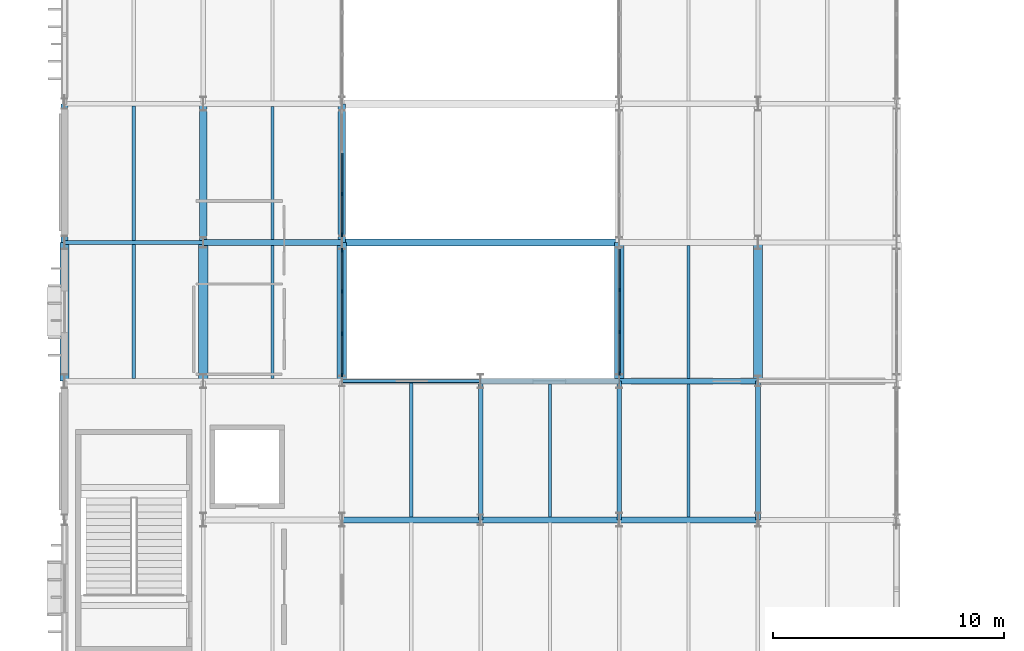
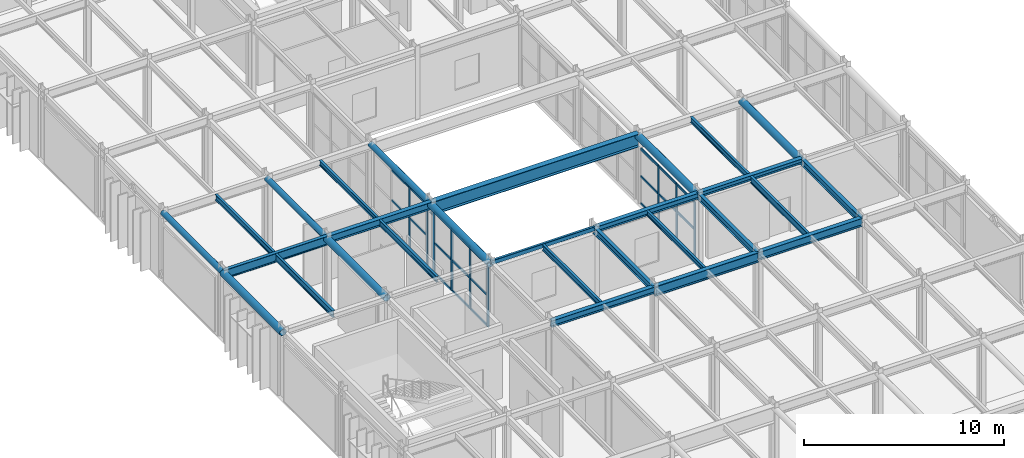
# One storey, part 29 of 96: 33 members, 28 beams, 3 elements without a shape of their own.
"""IFC4 building model written with IfcOpenShell, lengths in metres."""

from ifc_helpers import new_model, si_unit, direction, frame, origin, origin_2d, place, context, subcontext, project, spatial, rectangle, hollow_rectangle, hollow_circle, i_section, extrude, material, material_profile, profile_set, type_object, element, aggregate, save


model = new_model("IFC4")

# Units and contexts
model_context = context("Model", 3, precision=1e-05, world=origin(), true_north=direction((0.0, 1.0)))
body_context = subcontext(model_context, "Body", "Model", "MODEL_VIEW")
ifc_project = project(units=[si_unit("LENGTHUNIT", "METRE"), si_unit("AREAUNIT", "SQUARE_METRE"), si_unit("VOLUMEUNIT", "CUBIC_METRE"), si_unit("PLANEANGLEUNIT", "RADIAN"), si_unit("MASSUNIT", "GRAM", prefix="KILO")], contexts=[model_context])

# Site, building, storey
site_placement = place(None, origin())
site = spatial("IfcSite", under=ifc_project, at=site_placement, CompositionType="ELEMENT")
building_placement = place(site_placement, origin())
building = spatial("IfcBuilding", under=site, at=building_placement, Name="Varnakota Square Police Headquarters", CompositionType="ELEMENT")
storey_placement = place(building_placement, frame((0.0, 0.0, 4.800048828125)))
storey = spatial("IfcBuildingStorey", under=building, at=storey_placement, Name="L01", CompositionType="ELEMENT", Elevation=4.800048828125)

# Beams
ifc_material_1 = material(Name="Steel IS 2062 Grade 350", Category="steel")
ifc_material_profile_1 = material_profile(ifc_material_1, hollow_circle(Radius=0.161865234375, WallThickness=0.0126953125, at=origin_2d()), Name="CHS 323.9x12.7")
ifc_profile_set_1 = profile_set([ifc_material_profile_1], Name="Steel IS 2062 Grade 350")
beam_type_1 = type_object("IfcBeamType", Name="BM-ARC-CHS324", PredefinedType="BEAM", material=ifc_profile_set_1)
for number, where, z_axis, x_axis, name in (
    (1, (6.0, 45.0, 4.0380859375), (0.0, 1.0, 0.0), (-1.0, 0.0, 0.0), "BMG-L01-1541"),
    (2, (12.0, 45.0, 4.0380859375), (0.0, 1.0, 0.0), (-1.0, 0.0, 0.0), "BMG-L01-1558"),
    (3, (18.0, 45.0, 4.0380859375), (0.0, 1.0, 0.0), (-1.0, 0.0, 0.0), "BMG-L01-1572"),
):
    element("IfcBeam", number, at=place(storey_placement, frame(where, z_axis=z_axis, x_axis=x_axis)), inside=storey, type_object=beam_type_1, Name=name, PredefinedType="BEAM", context=body_context, shape_type="SweptSolid", body=[
        extrude(hollow_circle(Radius=0.161865234375, WallThickness=0.0126953125, at=origin_2d()), origin(), (0.0, 0.0, 1.0), 6.0),
    ])
ifc_material_profile_2 = material_profile(ifc_material_1, hollow_circle(Radius=0.203125, WallThickness=0.01611328125, at=origin_2d()), Name="CHS 406.4x16.0")
ifc_profile_set_2 = profile_set([ifc_material_profile_2], Name="Steel IS 2062 Grade 350")
beam_type_2 = type_object("IfcBeamType", Name="BM-ARC-CHS406", PredefinedType="BEAM", material=ifc_profile_set_2)
for number, where, z_axis, x_axis, name in (
    (4, (6.0, 39.0, 3.996826171875), (0.0, 1.0, 0.0), (-1.0, 0.0, 0.0), "BMG-L01-1540"),
    (5, (12.0, 39.0, 3.996826171875), (0.0, 1.0, 0.0), (-1.0, 0.0, 0.0), "BMG-L01-1557"),
    (6, (18.0, 39.0, 3.996826171875), (0.0, 1.0, 0.0), (-1.0, 0.0, 0.0), "BMG-L01-1571"),
    (7, (30.0, 39.0, 3.996826171875), (0.0, 1.0, 0.0), (-1.0, 0.0, 0.0), "BMG-L01-1593"),
    (8, (36.0, 39.0, 3.996826171875), (0.0, 1.0, 0.0), (-1.0, 0.0, 0.0), "BMG-L01-1607"),
):
    element("IfcBeam", number, at=place(storey_placement, frame(where, z_axis=z_axis, x_axis=x_axis)), inside=storey, type_object=beam_type_2, Name=name, PredefinedType="BEAM", context=body_context, shape_type="SweptSolid", body=[
        extrude(hollow_circle(Radius=0.203125, WallThickness=0.01611328125, at=origin_2d()), origin(), (0.0, 0.0, 1.0), 6.0),
    ])
ifc_material_profile_3 = material_profile(ifc_material_1, i_section(OverallWidth=0.320068359375, OverallDepth=0.800048828125, WebThickness=0.01611328125, FlangeThickness=0.028076171875, at=origin_2d()), Name="BPG 800x320")
ifc_profile_set_3 = profile_set([ifc_material_profile_3], Name="Steel IS 2062 Grade 350")
beam_type_3 = type_object("IfcBeamType", Name="BM-BPG800", PredefinedType="BEAM", material=ifc_profile_set_3)
beam_1_placement = place(storey_placement, frame((18.0, 45.0, 3.800048828125), z_axis=(1.0, 0.0, 0.0), x_axis=(0.0, 1.0, 0.0)))
element("IfcBeam", 9, at=beam_1_placement, inside=storey, type_object=beam_type_3, Name="BMG-L01-1395", PredefinedType="BEAM", context=body_context, shape_type="SweptSolid", body=[
    extrude(i_section(OverallWidth=0.320068359375, OverallDepth=0.800048828125, WebThickness=0.01611328125, FlangeThickness=0.028076171875, at=origin_2d()), origin(), (0.0, 0.0, 1.0), 12.0),
])
ifc_material_profile_4 = material_profile(ifc_material_1, hollow_rectangle(XDim=0.14990234375, YDim=0.25, WallThickness=0.010009765625, InnerFilletRadius=0.010009765625, OuterFilletRadius=0.02001953125, at=origin_2d()), Name="RHS 250x150x10")
ifc_profile_set_4 = profile_set([ifc_material_profile_4], Name="Steel IS 2062 Grade 350")
beam_type_4 = type_object("IfcBeamType", Name="BM-CBEAM-RHS250", PredefinedType="BEAM", material=ifc_profile_set_4)
beam_2_placement = place(storey_placement, frame((18.0, 39.0, 4.074951171875), z_axis=(1.0, 0.0, 0.0), x_axis=(0.0, 1.0, 0.0)))
element("IfcBeam", 10, at=beam_2_placement, inside=storey, type_object=beam_type_4, Name="BMG-L01-1385", PredefinedType="BEAM", context=body_context, shape_type="SweptSolid", body=[
    extrude(hollow_rectangle(XDim=0.14990234375, YDim=0.25, WallThickness=0.010009765625, InnerFilletRadius=0.010009765625, OuterFilletRadius=0.02001953125, at=origin_2d()), origin(), (0.0, 0.0, 1.0), 6.0),
])
ifc_material_profile_5 = material_profile(ifc_material_1, i_section(OverallWidth=0.25, OverallDepth=0.300048828125, WebThickness=0.009521484375, FlangeThickness=0.010498046875, FilletRadius=0.011962890625, at=origin_2d()), Name="ISHB 300")
ifc_profile_set_5 = profile_set([ifc_material_profile_5], Name="Steel IS 2062 Grade 350")
beam_type_5 = type_object("IfcBeamType", Name="BM-ISHB300", PredefinedType="BEAM", material=ifc_profile_set_5)
beam_3_placement = place(storey_placement, frame((30.0, 39.0, 4.050048828125), z_axis=(1.0, 0.0, 0.0), x_axis=(0.0, 1.0, 0.0)))
element("IfcBeam", 11, at=beam_3_placement, inside=storey, type_object=beam_type_5, Name="BMG-L01-1387", PredefinedType="BEAM", context=body_context, shape_type="SweptSolid", body=[
    extrude(i_section(OverallWidth=0.25, OverallDepth=0.300048828125, WebThickness=0.009521484375, FlangeThickness=0.010498046875, FilletRadius=0.011962890625, at=origin_2d()), origin(), (0.0, 0.0, 1.0), 6.0),
])
ifc_material_profile_6 = material_profile(ifc_material_1, i_section(OverallWidth=0.25, OverallDepth=0.35009765625, WebThickness=0.010009765625, FlangeThickness=0.01171875, FilletRadius=0.011962890625, at=origin_2d()), Name="ISHB 350")
ifc_profile_set_6 = profile_set([ifc_material_profile_6], Name="Steel IS 2062 Grade 350")
beam_type_6 = type_object("IfcBeamType", Name="BM-ISHB350", PredefinedType="BEAM", material=ifc_profile_set_6)
beam_4_placement = place(storey_placement, frame((24.0, 39.0, 4.02490234375), z_axis=(1.0, 0.0, 0.0), x_axis=(0.0, 1.0, 0.0)))
element("IfcBeam", 12, at=beam_4_placement, inside=storey, type_object=beam_type_6, Name="BMG-L01-1386", PredefinedType="BEAM", context=body_context, shape_type="SweptSolid", body=[
    extrude(i_section(OverallWidth=0.25, OverallDepth=0.35009765625, WebThickness=0.010009765625, FlangeThickness=0.01171875, FilletRadius=0.011962890625, at=origin_2d()), origin(), (0.0, 0.0, 1.0), 6.0),
])
ifc_material_profile_7 = material_profile(ifc_material_1, i_section(OverallWidth=0.25, OverallDepth=0.39990234375, WebThickness=0.010498046875, FlangeThickness=0.0126953125, FilletRadius=0.013916015625, at=origin_2d()), Name="ISHB 400")
ifc_profile_set_7 = profile_set([ifc_material_profile_7], Name="Steel IS 2062 Grade 350")
beam_type_7 = type_object("IfcBeamType", Name="BM-ISHB400", PredefinedType="BEAM", material=ifc_profile_set_7)
beam_5_placement = place(storey_placement, frame((18.0, 33.0, 4.0), z_axis=(1.0, 0.0, 0.0), x_axis=(0.0, 1.0, 0.0)))
element("IfcBeam", 13, at=beam_5_placement, inside=storey, type_object=beam_type_7, Name="BMG-L01-1376", PredefinedType="BEAM", context=body_context, shape_type="SweptSolid", body=[
    extrude(i_section(OverallWidth=0.25, OverallDepth=0.39990234375, WebThickness=0.010498046875, FlangeThickness=0.0126953125, FilletRadius=0.013916015625, at=origin_2d()), origin(), (0.0, 0.0, 1.0), 6.0),
])
ifc_material_profile_8 = material_profile(ifc_material_1, i_section(OverallWidth=0.25, OverallDepth=0.449951171875, WebThickness=0.01123046875, FlangeThickness=0.013671875, FilletRadius=0.014892578125, at=origin_2d()), Name="ISHB 450")
ifc_profile_set_8 = profile_set([ifc_material_profile_8], Name="Steel IS 2062 Grade 350")
beam_type_8 = type_object("IfcBeamType", Name="BM-ISHB450", PredefinedType="BEAM", material=ifc_profile_set_8)
beam_6_placement = place(storey_placement, frame((12.0, 45.0, 3.974853515625), z_axis=(1.0, 0.0, 0.0), x_axis=(0.0, 1.0, 0.0)))
element("IfcBeam", 14, at=beam_6_placement, inside=storey, type_object=beam_type_8, Name="BMG-L01-1394", PredefinedType="BEAM", context=body_context, shape_type="SweptSolid", body=[
    extrude(i_section(OverallWidth=0.25, OverallDepth=0.449951171875, WebThickness=0.01123046875, FlangeThickness=0.013671875, FilletRadius=0.014892578125, at=origin_2d()), origin(), (0.0, 0.0, 1.0), 6.0),
])
ifc_material_profile_9 = material_profile(ifc_material_1, i_section(OverallWidth=0.139892578125, OverallDepth=0.300048828125, WebThickness=0.0078125, FlangeThickness=0.01318359375, FilletRadius=0.013916015625, at=origin_2d()), Name="ISMB 300")
ifc_profile_set_9 = profile_set([ifc_material_profile_9], Name="Steel IS 2062 Grade 350")
beam_type_9 = type_object("IfcBeamType", Name="BM-ISMB300", PredefinedType="JOIST", material=ifc_profile_set_9)
for number, where, z_axis, x_axis, name in (
    (15, (15.0, 45.123046875, 4.050048828125), (0.0, 1.0, 0.0), (-1.0, 0.0, 0.0), "BMG-L01-1792"),
    (16, (27.0, 33.123046875, 4.050048828125), (0.0, 1.0, 0.0), (-1.0, 0.0, 0.0), "BMG-L01-1809"),
):
    element("IfcBeam", number, at=place(storey_placement, frame(where, z_axis=z_axis, x_axis=x_axis)), inside=storey, type_object=beam_type_9, Name=name, PredefinedType="JOIST", context=body_context, shape_type="SweptSolid", body=[
        extrude(i_section(OverallWidth=0.139892578125, OverallDepth=0.300048828125, WebThickness=0.0078125, FlangeThickness=0.01318359375, FilletRadius=0.013916015625, at=origin_2d()), origin(), (0.0, 0.0, 1.0), 5.75390625),
    ])
ifc_material_profile_10 = material_profile(ifc_material_1, i_section(OverallWidth=0.139892578125, OverallDepth=0.35009765625, WebThickness=0.008056640625, FlangeThickness=0.01416015625, FilletRadius=0.013916015625, at=origin_2d()), Name="ISMB 350")
ifc_profile_set_10 = profile_set([ifc_material_profile_10], Name="Steel IS 2062 Grade 350")
beam_type_10 = type_object("IfcBeamType", Name="BM-ISMB350", PredefinedType="JOIST", material=ifc_profile_set_10)
beam_7_placement = place(storey_placement, frame((9.0, 45.093017578125, 4.02490234375), z_axis=(0.0, 1.0, 0.0), x_axis=(-1.0, 0.0, 0.0)))
element("IfcBeam", 17, at=beam_7_placement, inside=storey, type_object=beam_type_10, Name="BMG-L01-1781", PredefinedType="JOIST", context=body_context, shape_type="SweptSolid", body=[
    extrude(i_section(OverallWidth=0.139892578125, OverallDepth=0.35009765625, WebThickness=0.008056640625, FlangeThickness=0.01416015625, FilletRadius=0.013916015625, at=origin_2d()), origin(), (0.0, 0.0, 1.0), 5.81396484375),
])
beam_8_placement = place(storey_placement, frame((15.0, 39.123046875, 4.02490234375), z_axis=(0.0, 1.0, 0.0), x_axis=(-1.0, 0.0, 0.0)))
element("IfcBeam", 18, at=beam_8_placement, inside=storey, type_object=beam_type_10, Name="BMG-L01-1791", PredefinedType="JOIST", context=body_context, shape_type="SweptSolid", body=[
    extrude(i_section(OverallWidth=0.139892578125, OverallDepth=0.35009765625, WebThickness=0.008056640625, FlangeThickness=0.01416015625, FilletRadius=0.013916015625, at=origin_2d()), origin(), (0.0, 0.0, 1.0), 5.75390625),
])
beam_9_placement = place(storey_placement, frame((21.0, 33.123046875, 4.02490234375), z_axis=(0.0, 1.0, 0.0), x_axis=(-1.0, 0.0, 0.0)))
element("IfcBeam", 19, at=beam_9_placement, inside=storey, type_object=beam_type_10, Name="BMG-L01-1802", PredefinedType="JOIST", context=body_context, shape_type="SweptSolid", body=[
    extrude(i_section(OverallWidth=0.139892578125, OverallDepth=0.35009765625, WebThickness=0.008056640625, FlangeThickness=0.01416015625, FilletRadius=0.013916015625, at=origin_2d()), origin(), (0.0, 0.0, 1.0), 5.803955078125),
])
beam_10_placement = place(storey_placement, frame((33.0, 39.123046875, 4.02490234375), z_axis=(0.0, 1.0, 0.0), x_axis=(-1.0, 0.0, 0.0)))
element("IfcBeam", 20, at=beam_10_placement, inside=storey, type_object=beam_type_10, Name="BMG-L01-1818", PredefinedType="JOIST", context=body_context, shape_type="SweptSolid", body=[
    extrude(i_section(OverallWidth=0.139892578125, OverallDepth=0.35009765625, WebThickness=0.008056640625, FlangeThickness=0.01416015625, FilletRadius=0.013916015625, at=origin_2d()), origin(), (0.0, 0.0, 1.0), 5.75390625),
])
ifc_material_profile_11 = material_profile(ifc_material_1, i_section(OverallWidth=0.139892578125, OverallDepth=0.39990234375, WebThickness=0.0087890625, FlangeThickness=0.01611328125, FilletRadius=0.013916015625, at=origin_2d()), Name="ISMB 400")
ifc_profile_set_11 = profile_set([ifc_material_profile_11], Name="Steel IS 2062 Grade 350")
beam_type_11 = type_object("IfcBeamType", Name="BM-ISMB400", PredefinedType="JOIST", material=ifc_profile_set_11)
beam_11_placement = place(storey_placement, frame((9.0, 39.123046875, 4.0), z_axis=(0.0, 1.0, 0.0), x_axis=(-1.0, 0.0, 0.0)))
element("IfcBeam", 21, at=beam_11_placement, inside=storey, type_object=beam_type_11, Name="BMG-L01-1780", PredefinedType="JOIST", context=body_context, shape_type="SweptSolid", body=[
    extrude(i_section(OverallWidth=0.139892578125, OverallDepth=0.39990234375, WebThickness=0.0087890625, FlangeThickness=0.01611328125, FilletRadius=0.013916015625, at=origin_2d()), origin(), (0.0, 0.0, 1.0), 5.783935546875),
])
beam_12_placement = place(storey_placement, frame((33.0, 33.123046875, 4.0), z_axis=(0.0, 1.0, 0.0), x_axis=(-1.0, 0.0, 0.0)))
element("IfcBeam", 22, at=beam_12_placement, inside=storey, type_object=beam_type_11, Name="BMG-L01-1817", PredefinedType="JOIST", context=body_context, shape_type="SweptSolid", body=[
    extrude(i_section(OverallWidth=0.139892578125, OverallDepth=0.39990234375, WebThickness=0.0087890625, FlangeThickness=0.01611328125, FilletRadius=0.013916015625, at=origin_2d()), origin(), (0.0, 0.0, 1.0), 5.75390625),
])
ifc_material_profile_12 = material_profile(ifc_material_1, i_section(OverallWidth=0.18994140625, OverallDepth=0.550048828125, WebThickness=0.01123046875, FlangeThickness=0.019287109375, FilletRadius=0.01806640625, at=origin_2d()), Name="ISMB 550")
ifc_profile_set_12 = profile_set([ifc_material_profile_12], Name="Steel IS 2062 Grade 350")
beam_type_12 = type_object("IfcBeamType", Name="BM-ISMB550", PredefinedType="BEAM", material=ifc_profile_set_12)
beam_13_placement = place(storey_placement, frame((6.0, 45.0, 3.925048828125), z_axis=(1.0, 0.0, 0.0), x_axis=(0.0, 1.0, 0.0)))
element("IfcBeam", 23, at=beam_13_placement, inside=storey, type_object=beam_type_12, Name="BMG-L01-1393", PredefinedType="BEAM", context=body_context, shape_type="SweptSolid", body=[
    extrude(i_section(OverallWidth=0.18994140625, OverallDepth=0.550048828125, WebThickness=0.01123046875, FlangeThickness=0.019287109375, FilletRadius=0.01806640625, at=origin_2d()), origin(), (0.0, 0.0, 1.0), 6.0),
])
ifc_material_profile_13 = material_profile(ifc_material_1, i_section(OverallWidth=0.199951171875, OverallDepth=0.39990234375, WebThickness=0.008544921875, FlangeThickness=0.012939453125, FilletRadius=0.012939453125, at=origin_2d()), Name="ISWB 400")
ifc_profile_set_13 = profile_set([ifc_material_profile_13], Name="Steel IS 2062 Grade 350")
beam_type_13 = type_object("IfcBeamType", Name="BM-ISWB400", PredefinedType="BEAM", material=ifc_profile_set_13)
for number, where, z_axis, x_axis, name in (
    (24, (24.0, 33.0, 4.0), (0.0, 1.0, 0.0), (-1.0, 0.0, 0.0), "BMG-L01-1584"),
    (25, (30.0, 33.0, 4.0), (0.0, 1.0, 0.0), (-1.0, 0.0, 0.0), "BMG-L01-1592"),
    (26, (36.0, 33.0, 4.0), (0.0, 1.0, 0.0), (-1.0, 0.0, 0.0), "BMG-L01-1606"),
):
    element("IfcBeam", number, at=place(storey_placement, frame(where, z_axis=z_axis, x_axis=x_axis)), inside=storey, type_object=beam_type_13, Name=name, PredefinedType="BEAM", context=body_context, shape_type="SweptSolid", body=[
        extrude(i_section(OverallWidth=0.199951171875, OverallDepth=0.39990234375, WebThickness=0.008544921875, FlangeThickness=0.012939453125, FilletRadius=0.012939453125, at=origin_2d()), origin(), (0.0, 0.0, 1.0), 6.0),
    ])
ifc_material_profile_14 = material_profile(ifc_material_1, i_section(OverallWidth=0.25, OverallDepth=0.5, WebThickness=0.010009765625, FlangeThickness=0.0146484375, FilletRadius=0.014892578125, at=origin_2d()), Name="ISWB 500")
ifc_profile_set_14 = profile_set([ifc_material_profile_14], Name="Steel IS 2062 Grade 350")
beam_type_14 = type_object("IfcBeamType", Name="BM-ISWB500", PredefinedType="BEAM", material=ifc_profile_set_14)
beam_14_placement = place(storey_placement, frame((30.0, 33.0, 3.949951171875), z_axis=(1.0, 0.0, 0.0), x_axis=(0.0, 1.0, 0.0)))
element("IfcBeam", 27, at=beam_14_placement, inside=storey, type_object=beam_type_14, Name="BMG-L01-1378", PredefinedType="BEAM", context=body_context, shape_type="SweptSolid", body=[
    extrude(i_section(OverallWidth=0.25, OverallDepth=0.5, WebThickness=0.010009765625, FlangeThickness=0.0146484375, FilletRadius=0.014892578125, at=origin_2d()), origin(), (0.0, 0.0, 1.0), 6.0),
])
ifc_material_profile_15 = material_profile(ifc_material_1, i_section(OverallWidth=0.25, OverallDepth=0.60009765625, WebThickness=0.01171875, FlangeThickness=0.023681640625, FilletRadius=0.01708984375, at=origin_2d()), Name="ISWB 600")
ifc_profile_set_15 = profile_set([ifc_material_profile_15], Name="Steel IS 2062 Grade 350")
beam_type_15 = type_object("IfcBeamType", Name="BM-ISWB600", PredefinedType="BEAM", material=ifc_profile_set_15)
beam_15_placement = place(storey_placement, frame((24.0, 33.0, 3.89990234375), z_axis=(1.0, 0.0, 0.0), x_axis=(0.0, 1.0, 0.0)))
element("IfcBeam", 28, at=beam_15_placement, inside=storey, type_object=beam_type_15, Name="BMG-L01-1377", PredefinedType="BEAM", context=body_context, shape_type="SweptSolid", body=[
    extrude(i_section(OverallWidth=0.25, OverallDepth=0.60009765625, WebThickness=0.01171875, FlangeThickness=0.023681640625, FilletRadius=0.01708984375, at=origin_2d()), origin(), (0.0, 0.0, 1.0), 6.0),
])

# Curtain wall, members
ifc_material_2 = material(Name="Anodised Aluminium Framing", Category="aluminium")
curtain_wall_type = type_object("IfcCurtainWallType", Name="CW-SYS-F", PredefinedType="NOTDEFINED", material=ifc_material_2)
curtain_wall_1_placement = place(storey_placement, origin())
curtain_wall_1 = element("IfcCurtainWall", 29, at=curtain_wall_1_placement, inside=storey, type_object=curtain_wall_type, Name="Unitised curtain wall CWG-L01-148", PredefinedType="NOTDEFINED")
ifc_material_3 = material(Name="Anodised Aluminium 6063-T6", Category="aluminium")
ifc_material_profile_16 = material_profile(ifc_material_3, rectangle(XDim=0.06494140625, YDim=0.159912109375, at=origin_2d()), Name="ALU MULLION 65x160")
ifc_profile_set_16 = profile_set([ifc_material_profile_16], Name="Anodised Aluminium 6063-T6")
member_type_1 = type_object("IfcMemberType", Name="CWM-150", PredefinedType="MULLION", material=ifc_profile_set_16)
member_1_placement = place(storey_placement, frame((18.0, 39.262451171875, 0.0), z_axis=(0.0, 0.0, 1.0), x_axis=(-1.0, 0.0, 0.0)))
member_1 = element("IfcMember", 30, at=member_1_placement, type_object=member_type_1, Name="CWG-L01-148 mullion 1", PredefinedType="MULLION", context=body_context, shape_type="SweptSolid", body=[
    extrude(rectangle(XDim=0.06494140625, YDim=0.159912109375, at=origin_2d()), origin(), (0.0, 0.0, 1.0), 3.783447265625),
])
member_2_placement = place(storey_placement, frame((18.0, 41.0517578125, 0.0), z_axis=(0.0, 0.0, 1.0), x_axis=(-1.0, 0.0, 0.0)))
member_2 = element("IfcMember", 31, at=member_2_placement, type_object=member_type_1, Name="CWG-L01-148 mullion 2", PredefinedType="MULLION", context=body_context, shape_type="SweptSolid", body=[
    extrude(rectangle(XDim=0.06494140625, YDim=0.159912109375, at=origin_2d()), origin(), (0.0, 0.0, 1.0), 3.783447265625),
])
member_3_placement = place(storey_placement, frame((18.0, 42.873291015625, 0.0), z_axis=(0.0, 0.0, 1.0), x_axis=(-1.0, 0.0, 0.0)))
member_3 = element("IfcMember", 32, at=member_3_placement, type_object=member_type_1, Name="CWG-L01-148 mullion 3", PredefinedType="MULLION", context=body_context, shape_type="SweptSolid", body=[
    extrude(rectangle(XDim=0.06494140625, YDim=0.159912109375, at=origin_2d()), origin(), (0.0, 0.0, 1.0), 3.783447265625),
])
member_4_placement = place(storey_placement, frame((18.0, 44.66259765625, 0.0), z_axis=(0.0, 0.0, 1.0), x_axis=(-1.0, 0.0, 0.0)))
member_4 = element("IfcMember", 33, at=member_4_placement, type_object=member_type_1, Name="CWG-L01-148 mullion 4", PredefinedType="MULLION", context=body_context, shape_type="SweptSolid", body=[
    extrude(rectangle(XDim=0.06494140625, YDim=0.159912109375, at=origin_2d()), origin(), (0.0, 0.0, 1.0), 3.783447265625),
])

curtain_wall_2_placement = place(storey_placement, origin())
curtain_wall_2 = element("IfcCurtainWall", 34, at=curtain_wall_2_placement, inside=storey, type_object=curtain_wall_type, Name="Unitised curtain wall CWG-L01-149", PredefinedType="NOTDEFINED")
member_5_placement = place(storey_placement, frame((30.0, 39.33740234375, 0.0), z_axis=(0.0, 0.0, 1.0), x_axis=(-1.0, 0.0, 0.0)))
member_5 = element("IfcMember", 35, at=member_5_placement, type_object=member_type_1, Name="CWG-L01-149 mullion 1", PredefinedType="MULLION", context=body_context, shape_type="SweptSolid", body=[
    extrude(rectangle(XDim=0.06494140625, YDim=0.159912109375, at=origin_2d()), origin(), (0.0, 0.0, 1.0), 3.389892578125),
])
member_6_placement = place(storey_placement, frame((30.0, 41.126708984375, 0.0), z_axis=(0.0, 0.0, 1.0), x_axis=(-1.0, 0.0, 0.0)))
member_6 = element("IfcMember", 36, at=member_6_placement, type_object=member_type_1, Name="CWG-L01-149 mullion 2", PredefinedType="MULLION", context=body_context, shape_type="SweptSolid", body=[
    extrude(rectangle(XDim=0.06494140625, YDim=0.159912109375, at=origin_2d()), origin(), (0.0, 0.0, 1.0), 3.389892578125),
])
member_7_placement = place(storey_placement, frame((30.0, 42.9482421875, 0.0), z_axis=(0.0, 0.0, 1.0), x_axis=(-1.0, 0.0, 0.0)))
member_7 = element("IfcMember", 37, at=member_7_placement, type_object=member_type_1, Name="CWG-L01-149 mullion 3", PredefinedType="MULLION", context=body_context, shape_type="SweptSolid", body=[
    extrude(rectangle(XDim=0.06494140625, YDim=0.159912109375, at=origin_2d()), origin(), (0.0, 0.0, 1.0), 3.389892578125),
])

curtain_wall_3_placement = place(storey_placement, origin())
curtain_wall_3 = element("IfcCurtainWall", 38, at=curtain_wall_3_placement, inside=storey, type_object=curtain_wall_type, Name="Unitised curtain wall CWG-L01-150", PredefinedType="NOTDEFINED")
member_8_placement = place(storey_placement, frame((18.0, 45.33740234375, 0.0), z_axis=(0.0, 0.0, 1.0), x_axis=(-1.0, 0.0, 0.0)))
member_8 = element("IfcMember", 39, at=member_8_placement, type_object=member_type_1, Name="CWG-L01-150 mullion 1", PredefinedType="MULLION", context=body_context, shape_type="SweptSolid", body=[
    extrude(rectangle(XDim=0.06494140625, YDim=0.159912109375, at=origin_2d()), origin(), (0.0, 0.0, 1.0), 3.783447265625),
])
member_9_placement = place(storey_placement, frame((18.0, 47.1015625, 0.0), z_axis=(0.0, 0.0, 1.0), x_axis=(-1.0, 0.0, 0.0)))
member_9 = element("IfcMember", 40, at=member_9_placement, type_object=member_type_1, Name="CWG-L01-150 mullion 2", PredefinedType="MULLION", context=body_context, shape_type="SweptSolid", body=[
    extrude(rectangle(XDim=0.06494140625, YDim=0.159912109375, at=origin_2d()), origin(), (0.0, 0.0, 1.0), 3.783447265625),
])

# Member
ifc_material_profile_17 = material_profile(ifc_material_3, rectangle(XDim=0.06494140625, YDim=0.1298828125, at=origin_2d()), Name="ALU TRANSOM 65x130")
ifc_profile_set_17 = profile_set([ifc_material_profile_17], Name="Anodised Aluminium 6063-T6")
member_type_2 = type_object("IfcMemberType", Name="CWT-120", PredefinedType="USERDEFINED", material=ifc_profile_set_17)
member_10_placement = place(storey_placement, frame((18.0, 39.294921875, 0.032470703125), z_axis=(0.0, 1.0, 0.0), x_axis=(-1.0, 0.0, 0.0)))
member_10 = element("IfcMember", 41, at=member_10_placement, type_object=member_type_2, Name="CWG-L01-148 transom 1.1", ObjectType="TRANSOM", PredefinedType="USERDEFINED", context=body_context, shape_type="SweptSolid", body=[
    extrude(rectangle(XDim=0.06494140625, YDim=0.1298828125, at=origin_2d()), origin(), (0.0, 0.0, 1.0), 1.724365234375),
])

member_11_placement = place(storey_placement, frame((18.0, 39.294921875, 1.891845703125), z_axis=(0.0, 1.0, 0.0), x_axis=(-1.0, 0.0, 0.0)))
member_11 = element("IfcMember", 42, at=member_11_placement, type_object=member_type_2, Name="CWG-L01-148 transom 1.2", ObjectType="TRANSOM", PredefinedType="USERDEFINED", context=body_context, shape_type="SweptSolid", body=[
    extrude(rectangle(XDim=0.06494140625, YDim=0.1298828125, at=origin_2d()), origin(), (0.0, 0.0, 1.0), 1.724365234375),
])

member_12_placement = place(storey_placement, frame((18.0, 39.294921875, 3.7509765625), z_axis=(0.0, 1.0, 0.0), x_axis=(-1.0, 0.0, 0.0)))
member_12 = element("IfcMember", 43, at=member_12_placement, type_object=member_type_2, Name="CWG-L01-148 transom 1.3", ObjectType="TRANSOM", PredefinedType="USERDEFINED", context=body_context, shape_type="SweptSolid", body=[
    extrude(rectangle(XDim=0.06494140625, YDim=0.1298828125, at=origin_2d()), origin(), (0.0, 0.0, 1.0), 1.724365234375),
])

member_13_placement = place(storey_placement, frame((18.0, 41.084228515625, 0.032470703125), z_axis=(0.0, 1.0, 0.0), x_axis=(-1.0, 0.0, 0.0)))
member_13 = element("IfcMember", 44, at=member_13_placement, type_object=member_type_2, Name="CWG-L01-148 transom 2.1", ObjectType="TRANSOM", PredefinedType="USERDEFINED", context=body_context, shape_type="SweptSolid", body=[
    extrude(rectangle(XDim=0.06494140625, YDim=0.1298828125, at=origin_2d()), origin(), (0.0, 0.0, 1.0), 1.756591796875),
])

member_14_placement = place(storey_placement, frame((18.0, 41.084228515625, 1.891845703125), z_axis=(0.0, 1.0, 0.0), x_axis=(-1.0, 0.0, 0.0)))
member_14 = element("IfcMember", 45, at=member_14_placement, type_object=member_type_2, Name="CWG-L01-148 transom 2.2", ObjectType="TRANSOM", PredefinedType="USERDEFINED", context=body_context, shape_type="SweptSolid", body=[
    extrude(rectangle(XDim=0.06494140625, YDim=0.1298828125, at=origin_2d()), origin(), (0.0, 0.0, 1.0), 1.756591796875),
])

member_15_placement = place(storey_placement, frame((18.0, 41.084228515625, 3.7509765625), z_axis=(0.0, 1.0, 0.0), x_axis=(-1.0, 0.0, 0.0)))
member_15 = element("IfcMember", 46, at=member_15_placement, type_object=member_type_2, Name="CWG-L01-148 transom 2.3", ObjectType="TRANSOM", PredefinedType="USERDEFINED", context=body_context, shape_type="SweptSolid", body=[
    extrude(rectangle(XDim=0.06494140625, YDim=0.1298828125, at=origin_2d()), origin(), (0.0, 0.0, 1.0), 1.756591796875),
])

member_16_placement = place(storey_placement, frame((18.0, 42.90576171875, 0.032470703125), z_axis=(0.0, 1.0, 0.0), x_axis=(-1.0, 0.0, 0.0)))
member_16 = element("IfcMember", 47, at=member_16_placement, type_object=member_type_2, Name="CWG-L01-148 transom 3.1", ObjectType="TRANSOM", PredefinedType="USERDEFINED", context=body_context, shape_type="SweptSolid", body=[
    extrude(rectangle(XDim=0.06494140625, YDim=0.1298828125, at=origin_2d()), origin(), (0.0, 0.0, 1.0), 1.72412109375),
])

member_17_placement = place(storey_placement, frame((18.0, 42.90576171875, 1.891845703125), z_axis=(0.0, 1.0, 0.0), x_axis=(-1.0, 0.0, 0.0)))
member_17 = element("IfcMember", 48, at=member_17_placement, type_object=member_type_2, Name="CWG-L01-148 transom 3.2", ObjectType="TRANSOM", PredefinedType="USERDEFINED", context=body_context, shape_type="SweptSolid", body=[
    extrude(rectangle(XDim=0.06494140625, YDim=0.1298828125, at=origin_2d()), origin(), (0.0, 0.0, 1.0), 1.72412109375),
])

member_18_placement = place(storey_placement, frame((18.0, 42.90576171875, 3.7509765625), z_axis=(0.0, 1.0, 0.0), x_axis=(-1.0, 0.0, 0.0)))
member_18 = element("IfcMember", 49, at=member_18_placement, type_object=member_type_2, Name="CWG-L01-148 transom 3.3", ObjectType="TRANSOM", PredefinedType="USERDEFINED", context=body_context, shape_type="SweptSolid", body=[
    extrude(rectangle(XDim=0.06494140625, YDim=0.1298828125, at=origin_2d()), origin(), (0.0, 0.0, 1.0), 1.72412109375),
])

aggregate(curtain_wall_1, [member_1, member_2, member_3, member_4, member_10, member_11, member_12, member_13, member_14, member_15, member_16, member_17, member_18])

member_19_placement = place(storey_placement, frame((30.0, 39.3701171875, 0.032470703125), z_axis=(0.0, 1.0, 0.0), x_axis=(-1.0, 0.0, 0.0)))
member_19 = element("IfcMember", 50, at=member_19_placement, type_object=member_type_2, Name="CWG-L01-149 transom 1.1", ObjectType="TRANSOM", PredefinedType="USERDEFINED", context=body_context, shape_type="SweptSolid", body=[
    extrude(rectangle(XDim=0.06494140625, YDim=0.1298828125, at=origin_2d()), origin(), (0.0, 0.0, 1.0), 1.72412109375),
])

member_20_placement = place(storey_placement, frame((30.0, 39.3701171875, 1.695068359375), z_axis=(0.0, 1.0, 0.0), x_axis=(-1.0, 0.0, 0.0)))
member_20 = element("IfcMember", 51, at=member_20_placement, type_object=member_type_2, Name="CWG-L01-149 transom 1.2", ObjectType="TRANSOM", PredefinedType="USERDEFINED", context=body_context, shape_type="SweptSolid", body=[
    extrude(rectangle(XDim=0.06494140625, YDim=0.1298828125, at=origin_2d()), origin(), (0.0, 0.0, 1.0), 1.72412109375),
])

member_21_placement = place(storey_placement, frame((30.0, 39.3701171875, 3.357421875), z_axis=(0.0, 1.0, 0.0), x_axis=(-1.0, 0.0, 0.0)))
member_21 = element("IfcMember", 52, at=member_21_placement, type_object=member_type_2, Name="CWG-L01-149 transom 1.3", ObjectType="TRANSOM", PredefinedType="USERDEFINED", context=body_context, shape_type="SweptSolid", body=[
    extrude(rectangle(XDim=0.06494140625, YDim=0.1298828125, at=origin_2d()), origin(), (0.0, 0.0, 1.0), 1.72412109375),
])

member_22_placement = place(storey_placement, frame((30.0, 41.1591796875, 0.032470703125), z_axis=(0.0, 1.0, 0.0), x_axis=(-1.0, 0.0, 0.0)))
member_22 = element("IfcMember", 53, at=member_22_placement, type_object=member_type_2, Name="CWG-L01-149 transom 2.1", ObjectType="TRANSOM", PredefinedType="USERDEFINED", context=body_context, shape_type="SweptSolid", body=[
    extrude(rectangle(XDim=0.06494140625, YDim=0.1298828125, at=origin_2d()), origin(), (0.0, 0.0, 1.0), 1.756591796875),
])

member_23_placement = place(storey_placement, frame((30.0, 41.1591796875, 1.695068359375), z_axis=(0.0, 1.0, 0.0), x_axis=(-1.0, 0.0, 0.0)))
member_23 = element("IfcMember", 54, at=member_23_placement, type_object=member_type_2, Name="CWG-L01-149 transom 2.2", ObjectType="TRANSOM", PredefinedType="USERDEFINED", context=body_context, shape_type="SweptSolid", body=[
    extrude(rectangle(XDim=0.06494140625, YDim=0.1298828125, at=origin_2d()), origin(), (0.0, 0.0, 1.0), 1.756591796875),
])

member_24_placement = place(storey_placement, frame((30.0, 41.1591796875, 3.357421875), z_axis=(0.0, 1.0, 0.0), x_axis=(-1.0, 0.0, 0.0)))
member_24 = element("IfcMember", 55, at=member_24_placement, type_object=member_type_2, Name="CWG-L01-149 transom 2.3", ObjectType="TRANSOM", PredefinedType="USERDEFINED", context=body_context, shape_type="SweptSolid", body=[
    extrude(rectangle(XDim=0.06494140625, YDim=0.1298828125, at=origin_2d()), origin(), (0.0, 0.0, 1.0), 1.756591796875),
])

member_25_placement = place(storey_placement, frame((30.0, 42.980712890625, 0.032470703125), z_axis=(0.0, 1.0, 0.0), x_axis=(-1.0, 0.0, 0.0)))
member_25 = element("IfcMember", 56, at=member_25_placement, type_object=member_type_2, Name="CWG-L01-149 transom 3.1", ObjectType="TRANSOM", PredefinedType="USERDEFINED", context=body_context, shape_type="SweptSolid", body=[
    extrude(rectangle(XDim=0.06494140625, YDim=0.1298828125, at=origin_2d()), origin(), (0.0, 0.0, 1.0), 1.724365234375),
])

member_26_placement = place(storey_placement, frame((30.0, 42.980712890625, 1.695068359375), z_axis=(0.0, 1.0, 0.0), x_axis=(-1.0, 0.0, 0.0)))
member_26 = element("IfcMember", 57, at=member_26_placement, type_object=member_type_2, Name="CWG-L01-149 transom 3.2", ObjectType="TRANSOM", PredefinedType="USERDEFINED", context=body_context, shape_type="SweptSolid", body=[
    extrude(rectangle(XDim=0.06494140625, YDim=0.1298828125, at=origin_2d()), origin(), (0.0, 0.0, 1.0), 1.724365234375),
])

member_27_placement = place(storey_placement, frame((30.0, 42.980712890625, 3.357421875), z_axis=(0.0, 1.0, 0.0), x_axis=(-1.0, 0.0, 0.0)))
member_27 = element("IfcMember", 58, at=member_27_placement, type_object=member_type_2, Name="CWG-L01-149 transom 3.3", ObjectType="TRANSOM", PredefinedType="USERDEFINED", context=body_context, shape_type="SweptSolid", body=[
    extrude(rectangle(XDim=0.06494140625, YDim=0.1298828125, at=origin_2d()), origin(), (0.0, 0.0, 1.0), 1.724365234375),
])

aggregate(curtain_wall_2, [member_5, member_6, member_7, member_19, member_20, member_21, member_22, member_23, member_24, member_25, member_26, member_27])

member_28_placement = place(storey_placement, frame((18.0, 45.3701171875, 0.032470703125), z_axis=(0.0, 1.0, 0.0), x_axis=(-1.0, 0.0, 0.0)))
member_28 = element("IfcMember", 59, at=member_28_placement, type_object=member_type_2, Name="CWG-L01-150 transom 1.1", ObjectType="TRANSOM", PredefinedType="USERDEFINED", context=body_context, shape_type="SweptSolid", body=[
    extrude(rectangle(XDim=0.06494140625, YDim=0.1298828125, at=origin_2d()), origin(), (0.0, 0.0, 1.0), 1.698974609375),
])

member_29_placement = place(storey_placement, frame((18.0, 45.3701171875, 1.891845703125), z_axis=(0.0, 1.0, 0.0), x_axis=(-1.0, 0.0, 0.0)))
member_29 = element("IfcMember", 60, at=member_29_placement, type_object=member_type_2, Name="CWG-L01-150 transom 1.2", ObjectType="TRANSOM", PredefinedType="USERDEFINED", context=body_context, shape_type="SweptSolid", body=[
    extrude(rectangle(XDim=0.06494140625, YDim=0.1298828125, at=origin_2d()), origin(), (0.0, 0.0, 1.0), 1.698974609375),
])

member_30_placement = place(storey_placement, frame((18.0, 45.3701171875, 3.7509765625), z_axis=(0.0, 1.0, 0.0), x_axis=(-1.0, 0.0, 0.0)))
member_30 = element("IfcMember", 61, at=member_30_placement, type_object=member_type_2, Name="CWG-L01-150 transom 1.3", ObjectType="TRANSOM", PredefinedType="USERDEFINED", context=body_context, shape_type="SweptSolid", body=[
    extrude(rectangle(XDim=0.06494140625, YDim=0.1298828125, at=origin_2d()), origin(), (0.0, 0.0, 1.0), 1.698974609375),
])

member_31_placement = place(storey_placement, frame((18.0, 47.13427734375, 0.032470703125), z_axis=(0.0, 1.0, 0.0), x_axis=(-1.0, 0.0, 0.0)))
member_31 = element("IfcMember", 62, at=member_31_placement, type_object=member_type_2, Name="CWG-L01-150 transom 2.1", ObjectType="TRANSOM", PredefinedType="USERDEFINED", context=body_context, shape_type="SweptSolid", body=[
    extrude(rectangle(XDim=0.06494140625, YDim=0.1298828125, at=origin_2d()), origin(), (0.0, 0.0, 1.0), 1.7314453125),
])

member_32_placement = place(storey_placement, frame((18.0, 47.13427734375, 1.891845703125), z_axis=(0.0, 1.0, 0.0), x_axis=(-1.0, 0.0, 0.0)))
member_32 = element("IfcMember", 63, at=member_32_placement, type_object=member_type_2, Name="CWG-L01-150 transom 2.2", ObjectType="TRANSOM", PredefinedType="USERDEFINED", context=body_context, shape_type="SweptSolid", body=[
    extrude(rectangle(XDim=0.06494140625, YDim=0.1298828125, at=origin_2d()), origin(), (0.0, 0.0, 1.0), 1.7314453125),
])

member_33_placement = place(storey_placement, frame((18.0, 47.13427734375, 3.7509765625), z_axis=(0.0, 1.0, 0.0), x_axis=(-1.0, 0.0, 0.0)))
member_33 = element("IfcMember", 64, at=member_33_placement, type_object=member_type_2, Name="CWG-L01-150 transom 2.3", ObjectType="TRANSOM", PredefinedType="USERDEFINED", context=body_context, shape_type="SweptSolid", body=[
    extrude(rectangle(XDim=0.06494140625, YDim=0.1298828125, at=origin_2d()), origin(), (0.0, 0.0, 1.0), 1.7314453125),
])

aggregate(curtain_wall_3, [member_8, member_9, member_28, member_29, member_30, member_31, member_32, member_33])

save(model, "model.ifc")
